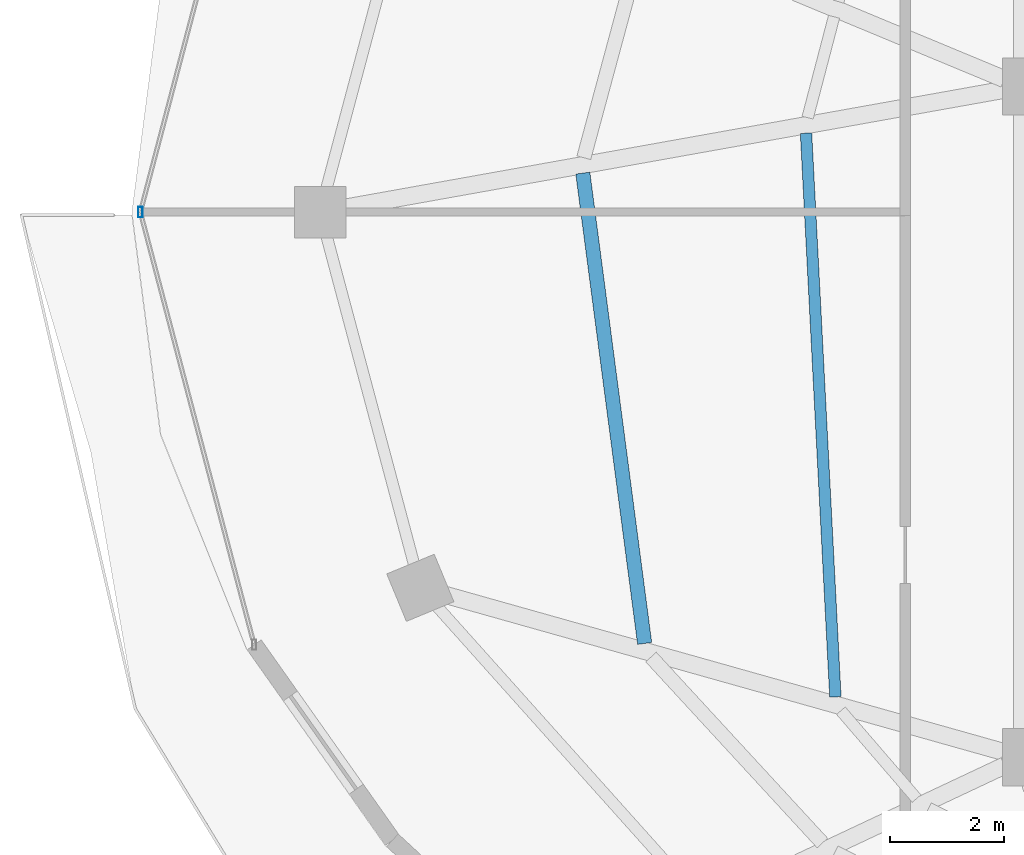
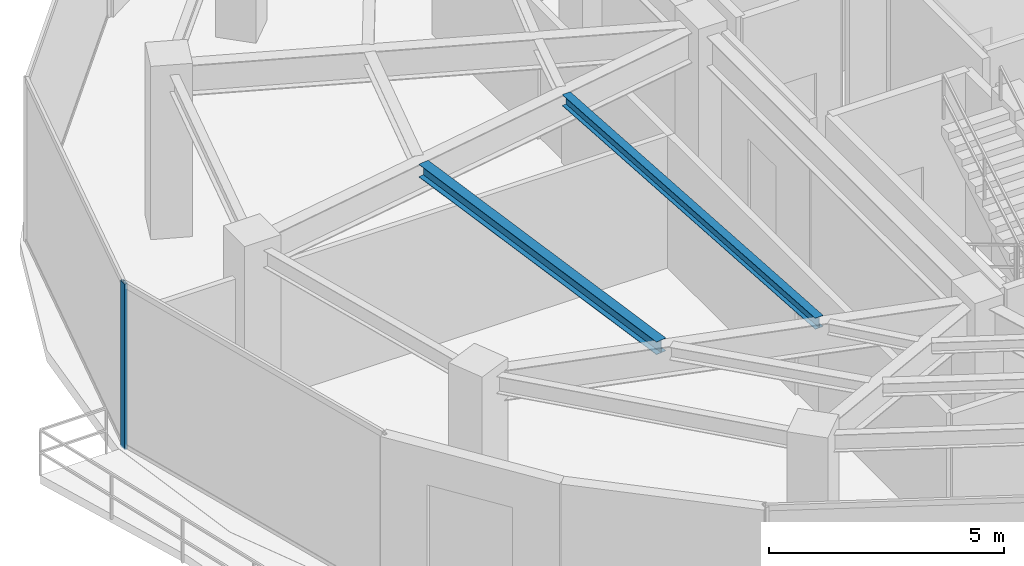
# One storey, part 7 of 27: 2 beams, 1 member, 1 element without a shape of its own.
"""IFC4 building model written with IfcOpenShell, lengths in metres."""

from ifc_helpers import new_model, si_unit, direction, frame, origin, origin_2d, place, context, subcontext, project, spatial, hollow_rectangle, i_section, extrude, material, material_profile, profile_set, type_object, element, aggregate, save


model = new_model("IFC4")

# Units and contexts
model_context = context("Model", 3, precision=1e-05, world=origin(), true_north=direction((0.0, 1.0)))
body_context = subcontext(model_context, "Body", "Model", "MODEL_VIEW")
ifc_project = project(units=[si_unit("LENGTHUNIT", "METRE"), si_unit("AREAUNIT", "SQUARE_METRE"), si_unit("VOLUMEUNIT", "CUBIC_METRE"), si_unit("PLANEANGLEUNIT", "RADIAN"), si_unit("MASSUNIT", "GRAM", prefix="KILO")], contexts=[model_context])

# Site, building, storey
site_placement = place(None, origin())
site = spatial("IfcSite", under=ifc_project, at=site_placement, CompositionType="ELEMENT")
building_placement = place(site_placement, origin())
building = spatial("IfcBuilding", under=site, at=building_placement, Name="Vorneva Point Tower", CompositionType="ELEMENT")
storey_placement = place(building_placement, frame((0.0, 0.0, 229.75)))
storey = spatial("IfcBuildingStorey", under=building, at=storey_placement, Name="L62", CompositionType="ELEMENT", Elevation=229.75)

# Beams
ifc_material_1 = material(Name="Steel S355", Category="steel")
ifc_material_profile_1 = material_profile(ifc_material_1, i_section(OverallWidth=0.199951171875, OverallDepth=0.291015625, WebThickness=0.008056640625, FlangeThickness=0.010986328125, at=origin_2d()), Name="30Sh1")
ifc_profile_set_1 = profile_set([ifc_material_profile_1], Name="Steel S355")
beam_type_1 = type_object("IfcBeamType", Name="BM-SEC-30Sh1", PredefinedType="BEAM", material=ifc_profile_set_1)
beam_1_placement = place(storey_placement, frame((23.462158203125, 27.38330078125, 4.094482421875), z_axis=(0.052014629383, -0.998646322944, 0.0), x_axis=(0.998646322944, 0.052014629383, 0.0)))
element("IfcBeam", 1, at=beam_1_placement, inside=storey, type_object=beam_type_1, Name="L62 Secondary Floor Beam 2.09", PredefinedType="BEAM", context=body_context, shape_type="SweptSolid", body=[
    extrude(i_section(OverallWidth=0.199951171875, OverallDepth=0.291015625, WebThickness=0.008056640625, FlangeThickness=0.010986328125, at=origin_2d()), origin(), (0.0, 0.0, 1.0), 9.8896484375),
])
ifc_material_profile_2 = material_profile(ifc_material_1, i_section(OverallWidth=0.2490234375, OverallDepth=0.333984375, WebThickness=0.008056640625, FlangeThickness=0.010986328125, at=origin_2d()), Name="35Sh1")
ifc_profile_set_2 = profile_set([ifc_material_profile_2], Name="Steel S355")
beam_type_2 = type_object("IfcBeamType", Name="BM-SEC-35Sh1", PredefinedType="BEAM", material=ifc_profile_set_2)
beam_2_placement = place(storey_placement, frame((19.551513671875, 26.68310546875, 4.072998046875), z_axis=(0.130373961087, -0.991464891093, 0.0), x_axis=(0.991464891093, 0.130373961087, 0.0)))
element("IfcBeam", 2, at=beam_2_placement, inside=storey, type_object=beam_type_2, Name="L62 Secondary Floor Beam 1.09", PredefinedType="BEAM", context=body_context, shape_type="SweptSolid", body=[
    extrude(i_section(OverallWidth=0.2490234375, OverallDepth=0.333984375, WebThickness=0.008056640625, FlangeThickness=0.010986328125, at=origin_2d()), origin(), (0.0, 0.0, 1.0), 8.310791015625),
])

# Curtain wall, member
ifc_material_2 = material(Name="Pale anodised aluminium", Category="aluminium")
curtain_wall_type = type_object("IfcCurtainWallType", Name="CW-SKY-SYS", PredefinedType="NOTDEFINED", material=ifc_material_2)
curtain_wall_placement = place(storey_placement, origin())
curtain_wall = element("IfcCurtainWall", 3, at=curtain_wall_placement, inside=storey, type_object=curtain_wall_type, Name="L62 Unitised Curtain Wall CW-L62-R03", PredefinedType="NOTDEFINED")
ifc_material_profile_3 = material_profile(ifc_material_2, hollow_rectangle(XDim=0.074951171875, YDim=0.179931640625, WallThickness=0.00390625, at=origin_2d()), Name="AL-MUL 180x75x4")
ifc_profile_set_3 = profile_set([ifc_material_profile_3], Name="Pale anodised aluminium")
member_type = type_object("IfcMemberType", Name="CW-MUL-180", PredefinedType="MULLION", material=ifc_profile_set_3)
member_placement = place(storey_placement, frame((11.800048828125, 26.0, -0.0400390625), z_axis=(0.0, 0.0, 1.0), x_axis=(1.0, 0.0, 0.0)))
member = element("IfcMember", 4, at=member_placement, type_object=member_type, Name="CW-L62-R03 Mullion 03", PredefinedType="MULLION", context=body_context, shape_type="SweptSolid", body=[
    extrude(hollow_rectangle(XDim=0.074951171875, YDim=0.179931640625, WallThickness=0.00390625, at=origin_2d()), origin(), (0.0, 0.0, 1.0), 4.31005859375),
])
aggregate(curtain_wall, [member])

save(model, "model.ifc")
